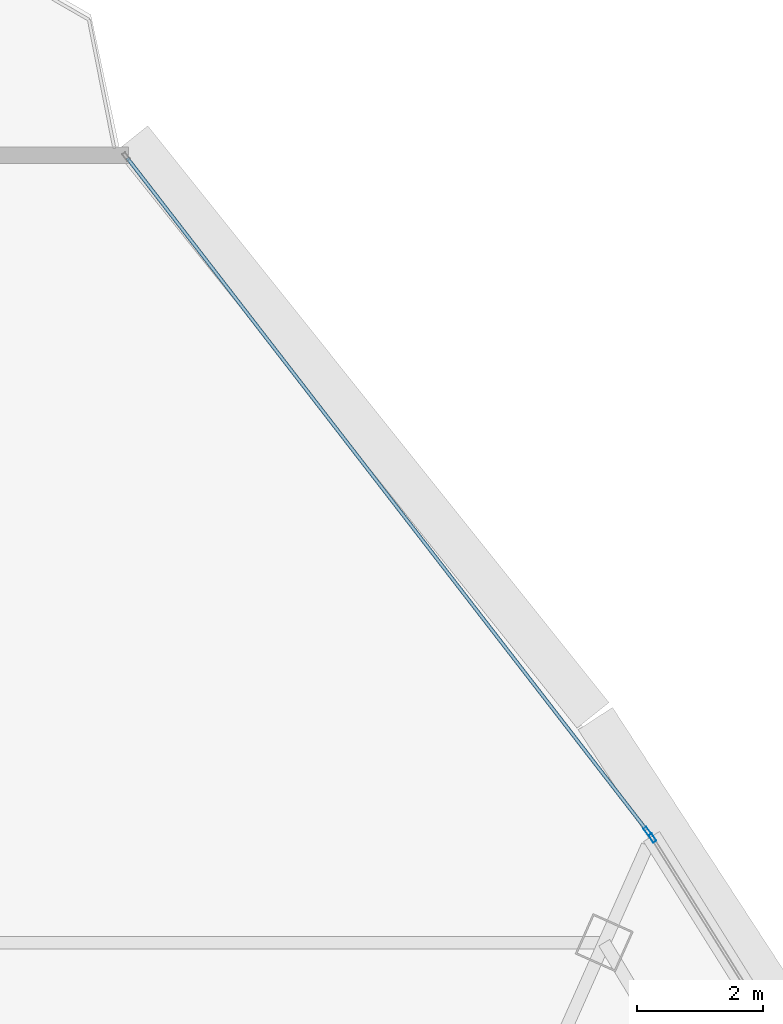
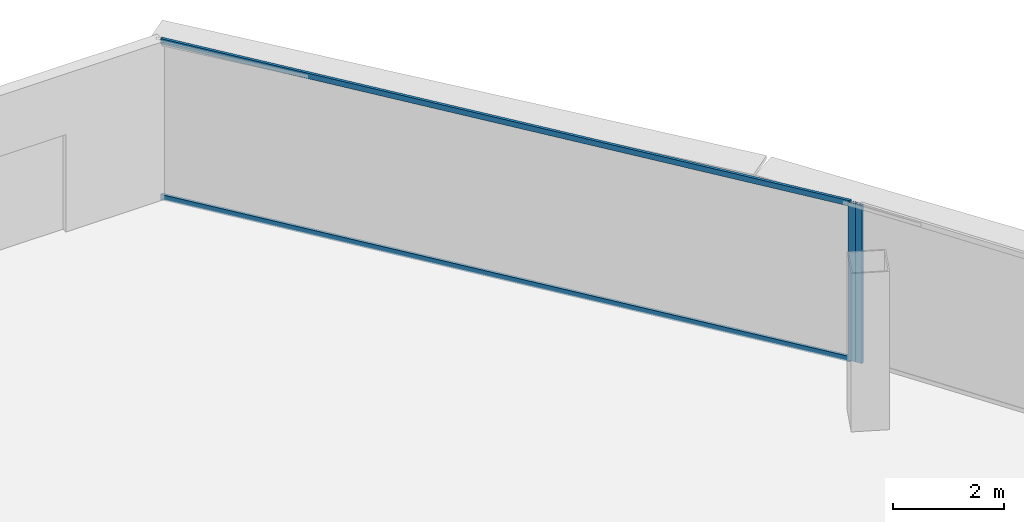
# One storey, part 19 of 29: 4 members, 2 elements without a shape of their own.
"""IFC4 building model written with IfcOpenShell, lengths in metres."""

from ifc_helpers import new_model, si_unit, direction, frame, origin, origin_2d, place, context, subcontext, project, spatial, hollow_rectangle, extrude, source, transform, mapped, material, layer, layer_set, material_profile, profile_set, type_object, element, aggregate, save


model = new_model("IFC4")

# Units and contexts
model_context = context("Model", 3, precision=1e-05, world=origin(), true_north=direction((0.0, 1.0)))
body_context = subcontext(model_context, "Body", "Model", "MODEL_VIEW")
ifc_project = project(units=[si_unit("LENGTHUNIT", "METRE"), si_unit("AREAUNIT", "SQUARE_METRE"), si_unit("VOLUMEUNIT", "CUBIC_METRE"), si_unit("PLANEANGLEUNIT", "RADIAN"), si_unit("MASSUNIT", "GRAM", prefix="KILO"), si_unit("THERMODYNAMICTEMPERATUREUNIT", "KELVIN"), si_unit("POWERUNIT", "WATT")], contexts=[model_context])

# Site, building, storey
site_placement = place(None, origin())
site = spatial("IfcSite", under=ifc_project, at=site_placement, CompositionType="ELEMENT")
building_placement = place(site_placement, origin())
building = spatial("IfcBuilding", under=site, at=building_placement, Name="Yunzhuo Pagoda Commons", CompositionType="ELEMENT")
storey_placement = place(building_placement, frame((0.0, 0.0, 359.260009765625)))
storey = spatial("IfcBuildingStorey", under=building, at=storey_placement, Name="L90", CompositionType="ELEMENT", Elevation=359.260009765625)

# Curtain wall, member
ifc_material = material(Name="Anodized aluminium 6063-T6", Category="aluminium")
ifc_layer = layer(ifc_material, 0.139892578125)
ifc_layer_set = layer_set([ifc_layer], Name="Anodized aluminium 6063-T6")
curtain_wall_type = type_object("IfcCurtainWallType", Name="CW-HI High-Zone Ribbon Curtain Wall", PredefinedType="NOTDEFINED", material=ifc_layer_set)
curtain_wall_1_placement = place(storey_placement, origin())
curtain_wall_1 = element("IfcCurtainWall", 1, at=curtain_wall_1_placement, inside=storey, type_object=curtain_wall_type, Name="L90 curtain wall CW-L90-F2B4", PredefinedType="NOTDEFINED")
ifc_material_profile_1 = material_profile(ifc_material, hollow_rectangle(XDim=0.06005859375, YDim=0.139892578125, WallThickness=0.00341796875, at=origin_2d()), Name="Anodized aluminium 6063-T6")
ifc_profile_set_1 = profile_set([ifc_material_profile_1], Name="Anodized aluminium 6063-T6")
member_type_1 = type_object("IfcMemberType", Name="CW-HI-M Mullion RHS 140x60x3.5", PredefinedType="MULLION", material=ifc_profile_set_1)
shared_shape_1 = source(origin(), body_context, "Body", "SweptSolid", [
    extrude(hollow_rectangle(XDim=0.06005859375, YDim=0.139892578125, WallThickness=0.00341796875, at=origin_2d()), origin(), (0.0, 0.0, 1.0), 3.489990234375),
])
member_1_placement = place(storey_placement, frame((59.264892578125, 58.9404296875, 0.0), z_axis=(0.0, 0.0, 1.0), x_axis=(-0.847272854146, -0.531157896135, 0.0)))
member_1 = element("IfcMember", 2, at=member_1_placement, type_object=member_type_1, Name="CW mullion 2", PredefinedType="MULLION", context=body_context, shape_type="MappedRepresentation", body=[
    mapped(shared_shape_1, transform((0.0, 0.0, 0.0), scale=1.0)),
])
aggregate(curtain_wall_1, [member_1])

# Curtain wall, members
curtain_wall_2_placement = place(storey_placement, origin())
curtain_wall_2 = element("IfcCurtainWall", 3, at=curtain_wall_2_placement, inside=storey, type_object=curtain_wall_type, Name="L90 curtain wall CW-L90-F2B5", PredefinedType="NOTDEFINED")
member_2_placement = place(storey_placement, frame((59.18505859375, 59.048828125, 0.0), z_axis=(0.0, 0.0, 1.0), x_axis=(-0.79134909847, -0.61136454293, 0.0)))
member_2 = element("IfcMember", 4, at=member_2_placement, type_object=member_type_1, Name="CW mullion 1", PredefinedType="MULLION", context=body_context, shape_type="MappedRepresentation", body=[
    mapped(shared_shape_1, transform((0.0, 0.0, 0.0), scale=1.0)),
])
ifc_material_profile_2 = material_profile(ifc_material, hollow_rectangle(XDim=0.054931640625, YDim=0.1201171875, WallThickness=0.00341796875, at=origin_2d()), Name="Anodized aluminium 6063-T6")
ifc_profile_set_2 = profile_set([ifc_material_profile_2], Name="Anodized aluminium 6063-T6")
member_type_2 = type_object("IfcMemberType", Name="CW-HI-T Transom RHS 120x55x3.5", PredefinedType="USERDEFINED", material=ifc_profile_set_2)
shared_shape_2 = source(origin(), body_context, "Body", "SweptSolid", [
    extrude(hollow_rectangle(XDim=0.054931640625, YDim=0.1201171875, WallThickness=0.00341796875, at=origin_2d()), origin(), (0.0, 0.0, 1.0), 13.46630859375),
])
member_3_placement = place(storey_placement, frame((59.16650390625, 59.072509765625, 0.027587890625), z_axis=(-0.611370616894, 0.791344405931, 0.0), x_axis=(-0.791344405931, -0.611370616894, 0.0)))
member_3 = element("IfcMember", 5, at=member_3_placement, type_object=member_type_2, Name="CW transom 1.1", ObjectType="TRANSOM", PredefinedType="USERDEFINED", context=body_context, shape_type="MappedRepresentation", body=[
    mapped(shared_shape_2, transform((0.0, 0.0, 0.0), scale=1.0)),
])
member_4_placement = place(storey_placement, frame((59.16650390625, 59.072509765625, 3.46240234375), z_axis=(-0.611370616894, 0.791344405931, 0.0), x_axis=(-0.791344405931, -0.611370616894, 0.0)))
member_4 = element("IfcMember", 6, at=member_4_placement, type_object=member_type_2, Name="CW transom 1.2", ObjectType="TRANSOM", PredefinedType="USERDEFINED", context=body_context, shape_type="MappedRepresentation", body=[
    mapped(shared_shape_2, transform((0.0, 0.0, 0.0), scale=1.0)),
])
aggregate(curtain_wall_2, [member_2, member_3, member_4])

save(model, "model.ifc")
